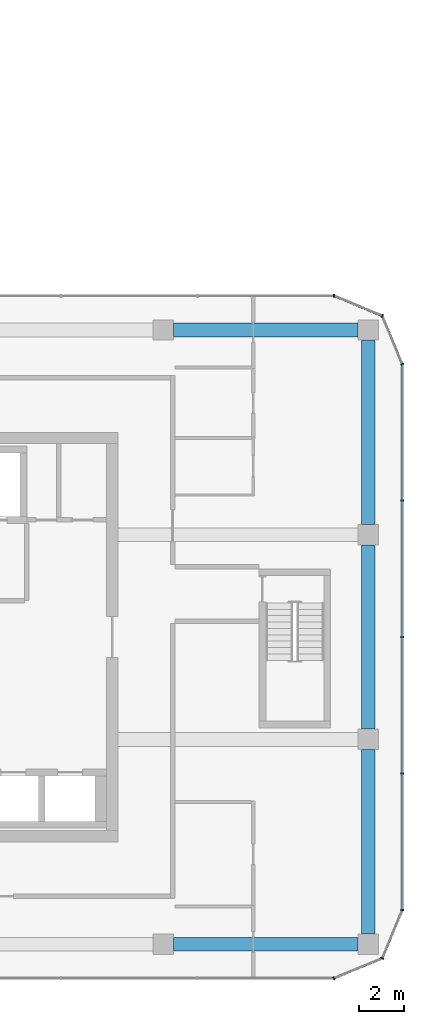
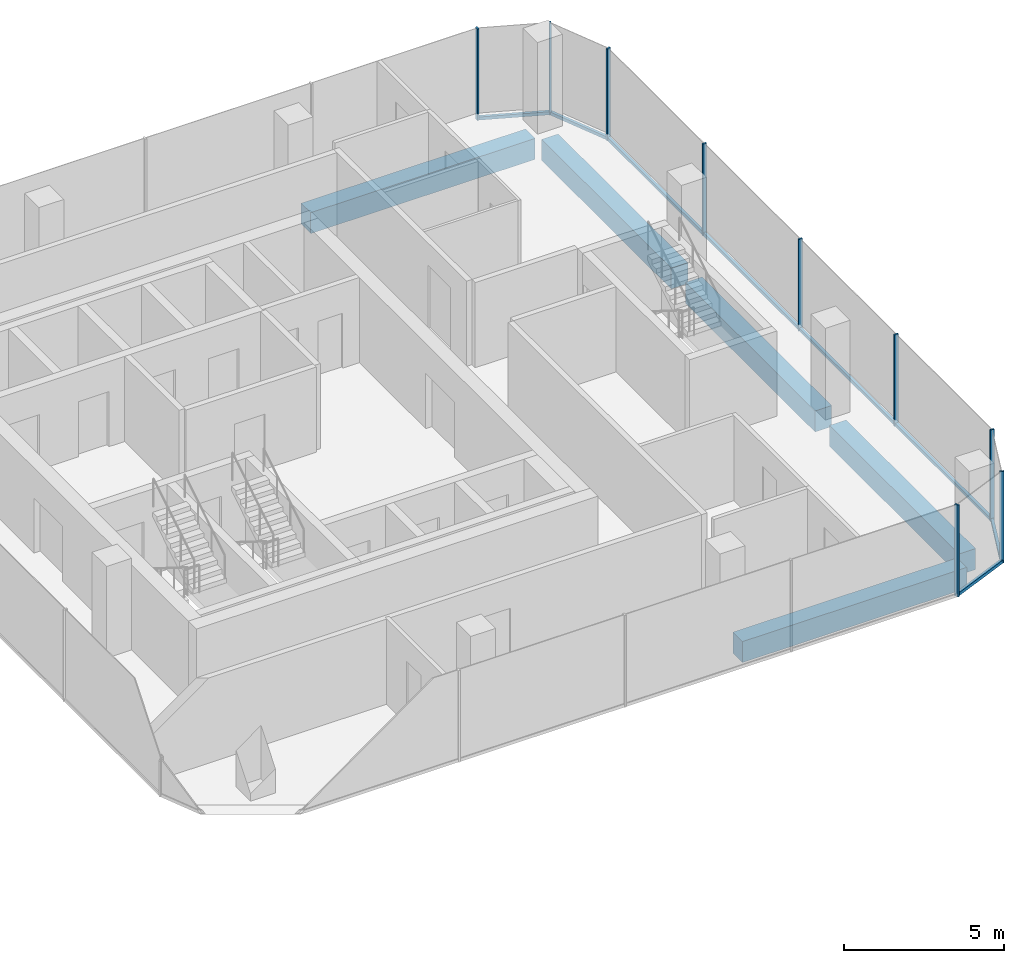
# One storey, part 11 of 24: 14 members, 5 beams, 6 elements without a shape of their own.
"""IFC4 building model written with IfcOpenShell, lengths in metres."""

from ifc_helpers import new_model, si_unit, direction, frame, origin, origin_2d, place, context, subcontext, project, spatial, rectangle, extrude, material, layer, layer_set, material_profile, profile_set, type_object, element, aggregate, save


model = new_model("IFC4")

# Units and contexts
model_context = context("Model", 3, precision=1e-05, world=origin(), true_north=direction((0.0, 1.0)))
body_context = subcontext(model_context, "Body", "Model", "MODEL_VIEW")
ifc_project = project(units=[si_unit("LENGTHUNIT", "METRE"), si_unit("AREAUNIT", "SQUARE_METRE"), si_unit("VOLUMEUNIT", "CUBIC_METRE"), si_unit("PLANEANGLEUNIT", "RADIAN"), si_unit("MASSUNIT", "GRAM", prefix="KILO")], contexts=[model_context])

# Site, building, storey
site_placement = place(None, origin())
site = spatial("IfcSite", under=ifc_project, at=site_placement, CompositionType="ELEMENT")
building_placement = place(site_placement, origin())
building = spatial("IfcBuilding", under=site, at=building_placement, Name="Plateau Cross Towers", CompositionType="ELEMENT")
storey_placement = place(building_placement, frame((0.0, 0.0, 44.300048828125)))
storey = spatial("IfcBuildingStorey", under=building, at=storey_placement, Name="L10", CompositionType="ELEMENT", Elevation=44.300048828125)

# Curtain wall, member
ifc_material_1 = material(Name="Dark low-iron glass", Category="glass")
ifc_layer = layer(ifc_material_1, 0.239990234375)
ifc_layer_set = layer_set([ifc_layer], Name="Dark low-iron glass")
curtain_wall_type = type_object("IfcCurtainWallType", Name="Curtain wall office unitised CW-F", PredefinedType="NOTDEFINED", material=ifc_layer_set)
curtain_wall_1_placement = place(storey_placement, origin())
curtain_wall_1 = element("IfcCurtainWall", 1, at=curtain_wall_1_placement, inside=storey, type_object=curtain_wall_type, Name="ENV/B/L10/B990_-60", PredefinedType="NOTDEFINED")
ifc_material_2 = material(Name="Black anodised aluminium", Category="aluminium")
ifc_material_profile_1 = material_profile(ifc_material_2, rectangle(XDim=0.06005859375, YDim=0.139892578125, at=origin_2d()), Name="MULLION 60x140")
ifc_profile_set_1 = profile_set([ifc_material_profile_1], Name="Black anodised aluminium")
member_type_1 = type_object("IfcMemberType", Name="Mullion 60x140 office unitised", PredefinedType="MULLION", material=ifc_profile_set_1)
member_1_placement = place(storey_placement, frame((99.0, -6.0, -0.25), z_axis=(0.0, 0.0, 1.0), x_axis=(0.923879457699, 0.382683612978, 0.0)))
member_1 = element("IfcMember", 2, at=member_1_placement, type_object=member_type_1, Name="CW-F mullion 1", PredefinedType="MULLION", context=body_context, shape_type="SweptSolid", body=[
    extrude(rectangle(XDim=0.06005859375, YDim=0.139892578125, at=origin_2d()), origin(), (0.0, 0.0, 1.0), 3.5),
])

curtain_wall_2_placement = place(storey_placement, origin())
curtain_wall_2 = element("IfcCurtainWall", 3, at=curtain_wall_2_placement, inside=storey, type_object=curtain_wall_type, Name="ENV/B/L10/B1011_-51", PredefinedType="NOTDEFINED")
member_2_placement = place(storey_placement, frame((101.121337890625, -5.121337890625, -0.25), z_axis=(0.0, 0.0, 1.0), x_axis=(0.382683612978, 0.923879457699, 0.0)))
member_2 = element("IfcMember", 4, at=member_2_placement, type_object=member_type_1, Name="CW-F mullion 1", PredefinedType="MULLION", context=body_context, shape_type="SweptSolid", body=[
    extrude(rectangle(XDim=0.06005859375, YDim=0.139892578125, at=origin_2d()), origin(), (0.0, 0.0, 1.0), 3.5),
])

# Curtain wall, members
curtain_wall_3_placement = place(storey_placement, origin())
curtain_wall_3 = element("IfcCurtainWall", 5, at=curtain_wall_3_placement, inside=storey, type_object=curtain_wall_type, Name="ENV/B/L10/B1020_-30", PredefinedType="NOTDEFINED")
member_3_placement = place(storey_placement, frame((102.0, -3.0, -0.25), z_axis=(0.0, 0.0, 1.0), x_axis=(0.0, 1.0, 0.0)))
member_3 = element("IfcMember", 6, at=member_3_placement, type_object=member_type_1, Name="CW-F mullion 1", PredefinedType="MULLION", context=body_context, shape_type="SweptSolid", body=[
    extrude(rectangle(XDim=0.06005859375, YDim=0.139892578125, at=origin_2d()), origin(), (0.0, 0.0, 1.0), 3.5),
])
member_4_placement = place(storey_placement, frame((102.0, 3.0, -0.25), z_axis=(0.0, 0.0, 1.0), x_axis=(0.0, 1.0, 0.0)))
member_4 = element("IfcMember", 7, at=member_4_placement, type_object=member_type_1, Name="CW-F mullion 2", PredefinedType="MULLION", context=body_context, shape_type="SweptSolid", body=[
    extrude(rectangle(XDim=0.06005859375, YDim=0.139892578125, at=origin_2d()), origin(), (0.0, 0.0, 1.0), 3.5),
])
member_5_placement = place(storey_placement, frame((102.0, 9.0, -0.25), z_axis=(0.0, 0.0, 1.0), x_axis=(0.0, 1.0, 0.0)))
member_5 = element("IfcMember", 8, at=member_5_placement, type_object=member_type_1, Name="CW-F mullion 3", PredefinedType="MULLION", context=body_context, shape_type="SweptSolid", body=[
    extrude(rectangle(XDim=0.06005859375, YDim=0.139892578125, at=origin_2d()), origin(), (0.0, 0.0, 1.0), 3.5),
])
member_6_placement = place(storey_placement, frame((102.0, 15.0, -0.25), z_axis=(0.0, 0.0, 1.0), x_axis=(0.0, 1.0, 0.0)))
member_6 = element("IfcMember", 9, at=member_6_placement, type_object=member_type_1, Name="CW-F mullion 4", PredefinedType="MULLION", context=body_context, shape_type="SweptSolid", body=[
    extrude(rectangle(XDim=0.06005859375, YDim=0.139892578125, at=origin_2d()), origin(), (0.0, 0.0, 1.0), 3.5),
])

# Curtain wall, member
curtain_wall_4_placement = place(storey_placement, origin())
curtain_wall_4 = element("IfcCurtainWall", 10, at=curtain_wall_4_placement, inside=storey, type_object=curtain_wall_type, Name="ENV/B/L10/B1020_210", PredefinedType="NOTDEFINED")
member_7_placement = place(storey_placement, frame((102.0, 21.0, -0.25), z_axis=(0.0, 0.0, 1.0), x_axis=(-0.382683612978, 0.923879457699, 0.0)))
member_7 = element("IfcMember", 11, at=member_7_placement, type_object=member_type_1, Name="CW-F mullion 1", PredefinedType="MULLION", context=body_context, shape_type="SweptSolid", body=[
    extrude(rectangle(XDim=0.06005859375, YDim=0.139892578125, at=origin_2d()), origin(), (0.0, 0.0, 1.0), 3.5),
])

curtain_wall_5_placement = place(storey_placement, origin())
curtain_wall_5 = element("IfcCurtainWall", 12, at=curtain_wall_5_placement, inside=storey, type_object=curtain_wall_type, Name="ENV/B/L10/B1011_231", PredefinedType="NOTDEFINED")
member_8_placement = place(storey_placement, frame((101.121337890625, 23.121337890625, -0.25), z_axis=(0.0, 0.0, 1.0), x_axis=(-0.923879457699, 0.382683612978, 0.0)))
member_8 = element("IfcMember", 13, at=member_8_placement, type_object=member_type_1, Name="CW-F mullion 1", PredefinedType="MULLION", context=body_context, shape_type="SweptSolid", body=[
    extrude(rectangle(XDim=0.06005859375, YDim=0.139892578125, at=origin_2d()), origin(), (0.0, 0.0, 1.0), 3.5),
])

curtain_wall_6_placement = place(storey_placement, origin())
curtain_wall_6 = element("IfcCurtainWall", 14, at=curtain_wall_6_placement, inside=storey, type_object=curtain_wall_type, Name="ENV/B/L10/B990_240", PredefinedType="NOTDEFINED")
member_9_placement = place(storey_placement, frame((99.0, 24.0, -0.25), z_axis=(0.0, 0.0, 1.0), x_axis=(-1.0, 0.0, 0.0)))
member_9 = element("IfcMember", 15, at=member_9_placement, type_object=member_type_1, Name="CW-F mullion 1", PredefinedType="MULLION", context=body_context, shape_type="SweptSolid", body=[
    extrude(rectangle(XDim=0.06005859375, YDim=0.139892578125, at=origin_2d()), origin(), (0.0, 0.0, 1.0), 3.5),
])
aggregate(curtain_wall_6, [member_9])

# Beams
ifc_material_3 = material(Name="Concrete C60/75", Category="concrete")
ifc_material_profile_2 = material_profile(ifc_material_3, rectangle(XDim=0.60009765625, YDim=0.800048828125, at=origin_2d()), Name="RC 600x800")
ifc_profile_set_2 = profile_set([ifc_material_profile_2], Name="Concrete C60/75")
beam_type = type_object("IfcBeamType", Name="Ring beam RC 600x800", PredefinedType="BEAM", material=ifc_profile_set_2)
for number, where, z_axis, x_axis, name in (
    (16, (91.949951171875, -4.5, -0.650146484375), (1.0, 0.0, 0.0), (0.0, 1.0, 0.0), "B-RB02@L10"),
    (17, (100.5, -4.050048828125, -0.650146484375), (0.0, 1.0, 0.0), (-1.0, 0.0, 0.0), "B-RB03@L10"),
    (18, (100.5, 4.949951171875, -0.650146484375), (0.0, 1.0, 0.0), (-1.0, 0.0, 0.0), "B-RB04@L10"),
    (19, (100.5, 13.949951171875, -0.650146484375), (0.0, 1.0, 0.0), (-1.0, 0.0, 0.0), "B-RB05@L10"),
    (20, (100.050048828125, 22.5, -0.650146484375), (-1.0, 0.0, 0.0), (0.0, -1.0, 0.0), "B-RB06@L10"),
):
    element("IfcBeam", number, at=place(storey_placement, frame(where, z_axis=z_axis, x_axis=x_axis)), inside=storey, type_object=beam_type, Name=name, PredefinedType="BEAM", context=body_context, shape_type="SweptSolid", body=[
        extrude(rectangle(XDim=0.60009765625, YDim=0.800048828125, at=origin_2d()), origin(), (0.0, 0.0, 1.0), 8.10009765625),
    ])

# Member
ifc_material_profile_3 = material_profile(ifc_material_2, rectangle(XDim=0.10009765625, YDim=0.1201171875, at=origin_2d()), Name="TRANSOM 100x120")
ifc_profile_set_3 = profile_set([ifc_material_profile_3], Name="Black anodised aluminium")
member_type_2 = type_object("IfcMemberType", Name="Transom 100x120 office unitised", PredefinedType="USERDEFINED", material=ifc_profile_set_3)
member_10_placement = place(storey_placement, frame((99.0, -6.0, -0.18994140625), z_axis=(0.923883353507, 0.382674207535, 0.0), x_axis=(-0.382674207535, 0.923883353507, 0.0)))
member_10 = element("IfcMember", 21, at=member_10_placement, type_object=member_type_2, Name="CW-F transom", ObjectType="TRANSOM", PredefinedType="USERDEFINED", context=body_context, shape_type="SweptSolid", body=[
    extrude(rectangle(XDim=0.10009765625, YDim=0.1201171875, at=origin_2d()), origin(), (0.0, 0.0, 1.0), 2.296142578125),
])

aggregate(curtain_wall_1, [member_1, member_10])

member_11_placement = place(storey_placement, frame((101.121337890625, -5.121337890625, -0.18994140625), z_axis=(0.382674207535, 0.923883353507, 0.0), x_axis=(-0.923883353507, 0.382674207535, 0.0)))
member_11 = element("IfcMember", 22, at=member_11_placement, type_object=member_type_2, Name="CW-F transom", ObjectType="TRANSOM", PredefinedType="USERDEFINED", context=body_context, shape_type="SweptSolid", body=[
    extrude(rectangle(XDim=0.10009765625, YDim=0.1201171875, at=origin_2d()), origin(), (0.0, 0.0, 1.0), 2.296142578125),
])

aggregate(curtain_wall_2, [member_2, member_11])

member_12_placement = place(storey_placement, frame((102.0, -3.0, -0.18994140625), z_axis=(0.0, 1.0, 0.0), x_axis=(-1.0, 0.0, 0.0)))
member_12 = element("IfcMember", 23, at=member_12_placement, type_object=member_type_2, Name="CW-F transom", ObjectType="TRANSOM", PredefinedType="USERDEFINED", context=body_context, shape_type="SweptSolid", body=[
    extrude(rectangle(XDim=0.10009765625, YDim=0.1201171875, at=origin_2d()), origin(), (0.0, 0.0, 1.0), 24.0),
])

aggregate(curtain_wall_3, [member_3, member_4, member_5, member_6, member_12])

member_13_placement = place(storey_placement, frame((102.0, 21.0, -0.18994140625), z_axis=(-0.382674207535, 0.923883353507, 0.0), x_axis=(-0.923883353507, -0.382674207535, 0.0)))
member_13 = element("IfcMember", 24, at=member_13_placement, type_object=member_type_2, Name="CW-F transom", ObjectType="TRANSOM", PredefinedType="USERDEFINED", context=body_context, shape_type="SweptSolid", body=[
    extrude(rectangle(XDim=0.10009765625, YDim=0.1201171875, at=origin_2d()), origin(), (0.0, 0.0, 1.0), 2.296142578125),
])

aggregate(curtain_wall_4, [member_7, member_13])

member_14_placement = place(storey_placement, frame((101.121337890625, 23.121337890625, -0.18994140625), z_axis=(-0.923883353507, 0.382674207535, 0.0), x_axis=(-0.382674207535, -0.923883353507, 0.0)))
member_14 = element("IfcMember", 25, at=member_14_placement, type_object=member_type_2, Name="CW-F transom", ObjectType="TRANSOM", PredefinedType="USERDEFINED", context=body_context, shape_type="SweptSolid", body=[
    extrude(rectangle(XDim=0.10009765625, YDim=0.1201171875, at=origin_2d()), origin(), (0.0, 0.0, 1.0), 2.296142578125),
])

aggregate(curtain_wall_5, [member_8, member_14])

save(model, "model.ifc")
